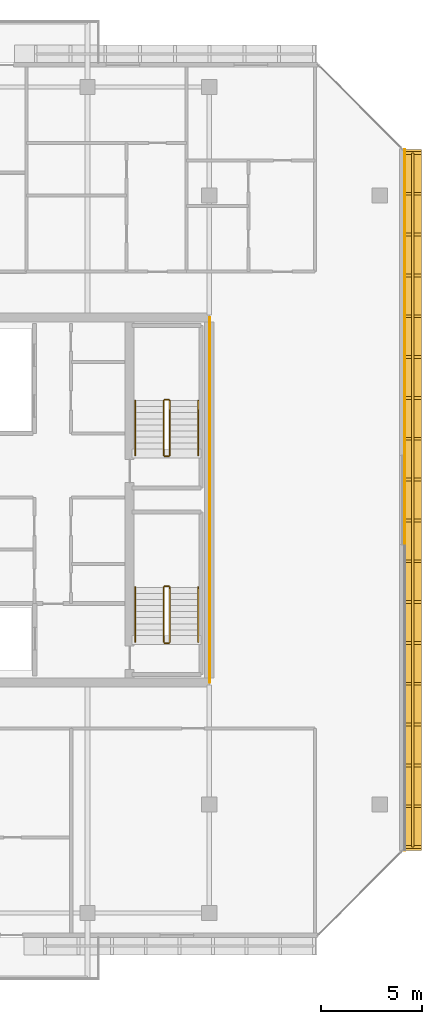
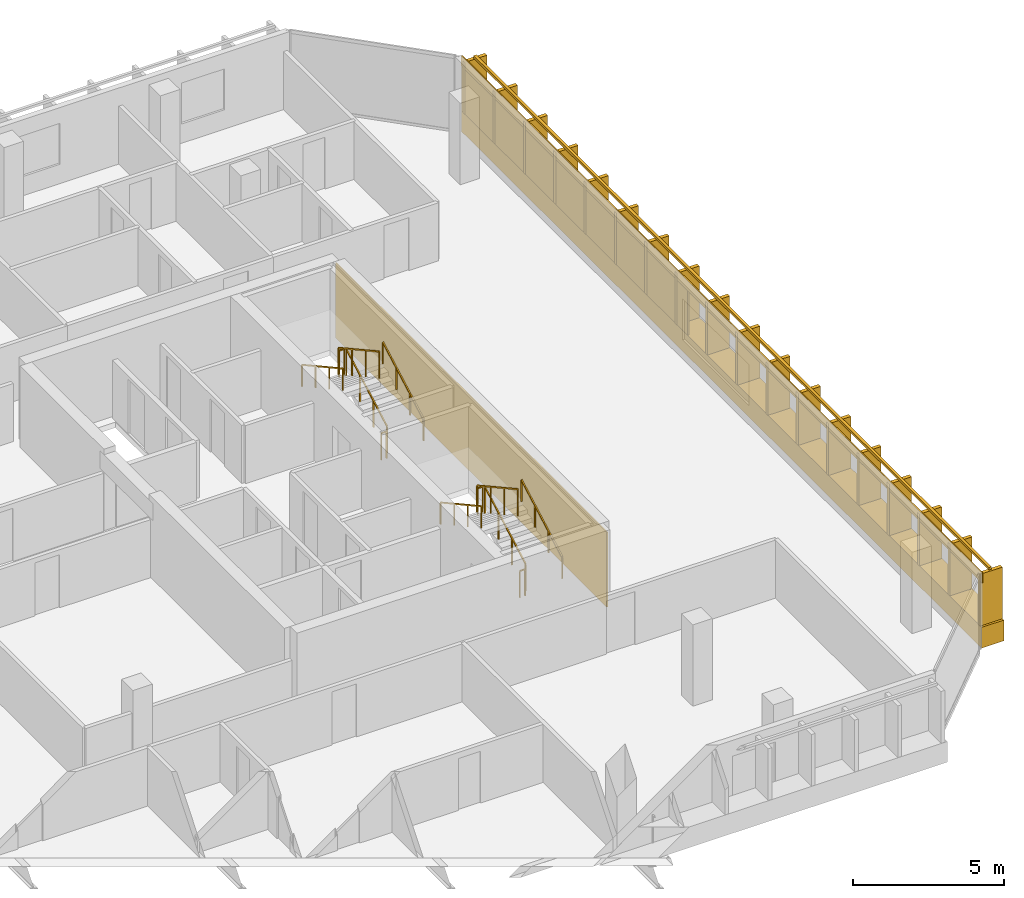
# One storey, part 24 of 25: 13 railings, 4 coverings.
"""IFC4 building model written with IfcOpenShell, lengths in metres."""

from ifc_helpers import new_model, si_unit, direction, frame, origin, origin_2d, place, context, subcontext, project, spatial, rectangle, extrude, material, layer, layer_set, type_object, element, save


model = new_model("IFC4")

# Units and contexts
model_context = context("Model", 3, precision=1e-05, world=origin(), true_north=direction((0.0, 1.0)))
body_context = subcontext(model_context, "Body", "Model", "MODEL_VIEW")
ifc_project = project(units=[si_unit("LENGTHUNIT", "METRE"), si_unit("AREAUNIT", "SQUARE_METRE"), si_unit("VOLUMEUNIT", "CUBIC_METRE"), si_unit("PLANEANGLEUNIT", "RADIAN"), si_unit("MASSUNIT", "GRAM", prefix="KILO")], contexts=[model_context])

# Site, building, storey
site_placement = place(None, origin())
site = spatial("IfcSite", under=ifc_project, at=site_placement, CompositionType="ELEMENT")
building_placement = place(site_placement, origin())
building = spatial("IfcBuilding", under=site, at=building_placement, Name="Tanjung Sevakor Pilgrim Tower", CompositionType="ELEMENT")
storey_placement = place(building_placement, frame((0.0, 0.0, 204.929931640625)))
storey = spatial("IfcBuildingStorey", under=building, at=storey_placement, Name="L57", CompositionType="ELEMENT", Elevation=204.929931640625)

# Coverings
ifc_material_1 = material(Name="Reconstructed Limestone Cladding", Category="masonry")
ifc_layer = layer(ifc_material_1, 0.044921875)
ifc_layer_set = layer_set([ifc_layer], Name="COV-CLAD-LIMESTONE")
covering_type = type_object("IfcCoveringType", Name="COV-CLAD-LIMESTONE", PredefinedType="CLADDING", material=ifc_layer_set)
covering_1_placement = place(storey_placement, frame((100.030029296875, 33.60009765625, 0.01025390625), z_axis=(0.0, 0.0, 1.0), x_axis=(0.0, 1.0, 0.0)))
element("IfcCovering", 1, at=covering_1_placement, inside=storey, type_object=covering_type, Name="L57 Warm Limestone Sill Spandrel EW-L57-MAIN-7-1", PredefinedType="CLADDING", context=body_context, shape_type="SweptSolid", body=[
    extrude(rectangle(XDim=34.52880859375, YDim=0.860107421875, at=origin_2d()), origin(), (0.0, 0.0, 1.0), 0.840087890625),
])
covering_2_placement = place(storey_placement, frame((99.62255859375, 33.60009765625, 2.66015625), z_axis=(0.0, 0.0, 1.0), x_axis=(0.0, 1.0, 0.0)))
element("IfcCovering", 2, at=covering_2_placement, inside=storey, type_object=covering_type, Name="L57 Warm Limestone Cornice Spandrel EW-L57-MAIN-7", PredefinedType="CLADDING", context=body_context, shape_type="SweptSolid", body=[
    extrude(rectangle(XDim=34.56884765625, YDim=0.044921875, at=origin_2d()), origin(), (0.0, 0.0, 1.0), 0.409912109375),
])
covering_3_placement = place(storey_placement, frame((99.62255859375, 43.357177734375, 0.85009765625), z_axis=(0.0, 0.0, 1.0), x_axis=(0.0, 1.0, 0.0)))
element("IfcCovering", 3, at=covering_3_placement, inside=storey, type_object=covering_type, Name="L57 Warm Limestone Pier Panel EW-L57-MAIN-7-2", PredefinedType="CLADDING", context=body_context, shape_type="SweptSolid", body=[
    extrude(rectangle(XDim=15.014404296875, YDim=0.044921875, at=origin_2d()), origin(), (0.0, 0.0, 1.0), 1.81005859375),
])
covering_4_placement = place(storey_placement, frame((90.0224609375, 33.60009765625, 0.02001953125), z_axis=(0.0, 0.0, 1.0), x_axis=(1.0, 0.0, 0.0)))
element("IfcCovering", 4, at=covering_4_placement, inside=storey, type_object=covering_type, Name="L57 Expressed Core Warm Limestone Cladding E", PredefinedType="CLADDING", context=body_context, shape_type="SweptSolid", body=[
    extrude(rectangle(XDim=0.044921875, YDim=18.0, at=origin_2d()), origin(), (0.0, 0.0, 1.0), 3.0400390625),
])

# Railings
ifc_material_2 = material(Name="Anodised Bronze Aluminium 6063-T6", Category="aluminium")
railing_type_1 = type_object("IfcRailingType", Name="RL-FIN-SCREEN", PredefinedType="BALUSTRADE", material=ifc_material_2)
railing_1_placement = place(storey_placement, frame((100.02490234375, 16.49560546875, 0.840087890625)))
element("IfcRailing", 5, at=railing_1_placement, inside=storey, type_object=railing_type_1, Name="L57 Vertical Bronze-Gold Solar Fin Screen FNEND-EW-L57-MAIN-7-1", PredefinedType="BALUSTRADE", context=body_context, shape_type="SweptSolid", body=[
    extrude(rectangle(XDim=0.105, YDim=0.105), frame((0.0, 0.0, 2.157470703125), z_axis=(0.0, 1.0, 0.0), x_axis=(-1.0, 0.0, 0.0)), (0.0, 0.0, 1.0), 34.208740234375),
    extrude(rectangle(XDim=0.85, YDim=0.14), origin(), (0.0, 0.0, 1.0), 2.10498046875),
    extrude(rectangle(XDim=0.85, YDim=0.14), frame((0.0, 2.01220703125, 0.0)), (0.0, 0.0, 1.0), 2.10498046875),
    extrude(rectangle(XDim=0.85, YDim=0.14), frame((0.0, 4.024658203125, 0.0)), (0.0, 0.0, 1.0), 2.10498046875),
    extrude(rectangle(XDim=0.85, YDim=0.14), frame((0.0, 6.036865234375, 0.0)), (0.0, 0.0, 1.0), 2.10498046875),
    extrude(rectangle(XDim=0.85, YDim=0.14), frame((0.0, 8.049072265625, 0.0)), (0.0, 0.0, 1.0), 2.10498046875),
    extrude(rectangle(XDim=0.85, YDim=0.14), frame((0.0, 10.061279296875, 0.0)), (0.0, 0.0, 1.0), 2.10498046875),
    extrude(rectangle(XDim=0.85, YDim=0.14), frame((0.0, 12.07373046875, 0.0)), (0.0, 0.0, 1.0), 2.10498046875),
    extrude(rectangle(XDim=0.85, YDim=0.14), frame((0.0, 14.0859375, 0.0)), (0.0, 0.0, 1.0), 2.10498046875),
    extrude(rectangle(XDim=0.85, YDim=0.14), frame((0.0, 16.09814453125, 0.0)), (0.0, 0.0, 1.0), 2.10498046875),
    extrude(rectangle(XDim=0.85, YDim=0.14), frame((0.0, 18.110595703125, 0.0)), (0.0, 0.0, 1.0), 2.10498046875),
    extrude(rectangle(XDim=0.85, YDim=0.14), frame((0.0, 20.122802734375, 0.0)), (0.0, 0.0, 1.0), 2.10498046875),
    extrude(rectangle(XDim=0.85, YDim=0.14), frame((0.0, 22.135009765625, 0.0)), (0.0, 0.0, 1.0), 2.10498046875),
    extrude(rectangle(XDim=0.85, YDim=0.14), frame((0.0, 24.1474609375, 0.0)), (0.0, 0.0, 1.0), 2.10498046875),
    extrude(rectangle(XDim=0.85, YDim=0.14), frame((0.0, 26.15966796875, 0.0)), (0.0, 0.0, 1.0), 2.10498046875),
    extrude(rectangle(XDim=0.85, YDim=0.14), frame((0.0, 28.171875, 0.0)), (0.0, 0.0, 1.0), 2.10498046875),
    extrude(rectangle(XDim=0.85, YDim=0.14), frame((0.0, 30.18408203125, 0.0)), (0.0, 0.0, 1.0), 2.10498046875),
    extrude(rectangle(XDim=0.85, YDim=0.14), frame((0.0, 32.196533203125, 0.0)), (0.0, 0.0, 1.0), 2.10498046875),
    extrude(rectangle(XDim=0.85, YDim=0.14), frame((0.0, 34.208740234375, 0.0)), (0.0, 0.0, 1.0), 2.10498046875),
])
ifc_material_3 = material(Name="Steel S355J2", Category="steel")
railing_type_2 = type_object("IfcRailingType", Name="RL-STAIR-GUARD", PredefinedType="GUARDRAIL", material=ifc_material_3)
railing_2_placement = place(storey_placement, frame((88.050048828125, 26.60009765625, 0.1650390625)))
element("IfcRailing", 6, at=railing_2_placement, inside=storey, type_object=railing_type_2, Name="L57 TS-E1 stair guard 1", PredefinedType="GUARDRAIL", context=body_context, shape_type="SweptSolid", body=[
    extrude(rectangle(XDim=0.0479, YDim=0.0479), frame((0.0, 0.0, 1.076171875), z_axis=(0.0, 0.876197507361, 0.481952205197), x_axis=(-1.0, 0.0, 0.0)), (0.0, 0.0, 1.0), 3.08154296875),
    extrude(rectangle(XDim=0.042, YDim=0.042), origin(), (0.0, 0.0, 1.0), 1.052001953125),
    extrude(rectangle(XDim=0.042, YDim=0.042), frame((0.0, 0.89990234375, 0.4951171875)), (0.0, 0.0, 1.0), 1.052001953125),
    extrude(rectangle(XDim=0.042, YDim=0.042), frame((0.0, 1.800048828125, 0.989990234375)), (0.0, 0.0, 1.0), 1.052001953125),
    extrude(rectangle(XDim=0.042, YDim=0.042), frame((0.0, 2.699951171875, 1.485107421875)), (0.0, 0.0, 1.0), 1.052001953125),
])
railing_3_placement = place(storey_placement, frame((88.0, 29.35009765625, 1.650146484375)))
element("IfcRailing", 7, at=railing_3_placement, inside=storey, type_object=railing_type_2, Name="L57 TS-E1 stair guard 2", PredefinedType="GUARDRAIL", context=body_context, shape_type="SweptSolid", body=[
    extrude(rectangle(XDim=0.0479, YDim=0.0479), frame((0.0, 0.0, 1.076171875), z_axis=(-1.0, 0.0, 0.0), x_axis=(0.0, -1.0, 0.0)), (0.0, 0.0, 1.0), 0.199951171875),
    extrude(rectangle(XDim=0.042, YDim=0.042), origin(), (0.0, 0.0, 1.0), 1.052001953125),
    extrude(rectangle(XDim=0.042, YDim=0.042), frame((-0.199951171875, 0.0, 0.0)), (0.0, 0.0, 1.0), 1.052001953125),
])
railing_4_placement = place(storey_placement, frame((87.75, 29.300048828125, 1.815185546875)))
element("IfcRailing", 8, at=railing_4_placement, inside=storey, type_object=railing_type_2, Name="L57 TS-E1 stair guard 3", PredefinedType="GUARDRAIL", context=body_context, shape_type="SweptSolid", body=[
    extrude(rectangle(XDim=0.0479, YDim=0.0479), frame((0.0, 0.0, 1.076171875), z_axis=(0.0, -0.876230963923, 0.481891375584), x_axis=(1.0, 0.0, 0.0)), (0.0, 0.0, 1.0), 3.081298828125),
    extrude(rectangle(XDim=0.042, YDim=0.042), origin(), (0.0, 0.0, 1.0), 1.052001953125),
    extrude(rectangle(XDim=0.042, YDim=0.042), frame((0.0, -0.89990234375, 0.494873046875)), (0.0, 0.0, 1.0), 1.052001953125),
    extrude(rectangle(XDim=0.042, YDim=0.042), frame((0.0, -1.800048828125, 0.989990234375)), (0.0, 0.0, 1.0), 1.052001953125),
    extrude(rectangle(XDim=0.042, YDim=0.042), frame((0.0, -2.699951171875, 1.48486328125)), (0.0, 0.0, 1.0), 1.052001953125),
])
railing_5_placement = place(storey_placement, frame((88.0, 26.550048828125, 0.0)))
element("IfcRailing", 9, at=railing_5_placement, inside=storey, type_object=railing_type_2, Name="L57 TS-E1 stair guard 4", PredefinedType="GUARDRAIL", context=body_context, shape_type="SweptSolid", body=[
    extrude(rectangle(XDim=0.0479, YDim=0.0479), frame((0.0, 0.0, 1.076171875), z_axis=(-1.0, 0.0, 0.0), x_axis=(0.0, -1.0, 0.0)), (0.0, 0.0, 1.0), 0.199951171875),
    extrude(rectangle(XDim=0.042, YDim=0.042), origin(), (0.0, 0.0, 1.0), 1.052001953125),
    extrude(rectangle(XDim=0.042, YDim=0.042), frame((-0.199951171875, 0.0, 0.0)), (0.0, 0.0, 1.0), 1.052001953125),
])
railing_6_placement = place(storey_placement, frame((88.050048828125, 35.800048828125, 0.1650390625)))
element("IfcRailing", 10, at=railing_6_placement, inside=storey, type_object=railing_type_2, Name="L57 TS-E2 stair guard 1", PredefinedType="GUARDRAIL", context=body_context, shape_type="SweptSolid", body=[
    extrude(rectangle(XDim=0.0479, YDim=0.0479), frame((0.0, 0.0, 1.076171875), z_axis=(0.0, 0.876197507361, 0.481952205197), x_axis=(-1.0, 0.0, 0.0)), (0.0, 0.0, 1.0), 3.08154296875),
    extrude(rectangle(XDim=0.042, YDim=0.042), origin(), (0.0, 0.0, 1.0), 1.052001953125),
    extrude(rectangle(XDim=0.042, YDim=0.042), frame((0.0, 0.89990234375, 0.4951171875)), (0.0, 0.0, 1.0), 1.052001953125),
    extrude(rectangle(XDim=0.042, YDim=0.042), frame((0.0, 1.800048828125, 0.989990234375)), (0.0, 0.0, 1.0), 1.052001953125),
    extrude(rectangle(XDim=0.042, YDim=0.042), frame((0.0, 2.699951171875, 1.485107421875)), (0.0, 0.0, 1.0), 1.052001953125),
])
railing_7_placement = place(storey_placement, frame((88.0, 38.550048828125, 1.650146484375)))
element("IfcRailing", 11, at=railing_7_placement, inside=storey, type_object=railing_type_2, Name="L57 TS-E2 stair guard 2", PredefinedType="GUARDRAIL", context=body_context, shape_type="SweptSolid", body=[
    extrude(rectangle(XDim=0.0479, YDim=0.0479), frame((0.0, 0.0, 1.076171875), z_axis=(-1.0, 0.0, 0.0), x_axis=(0.0, -1.0, 0.0)), (0.0, 0.0, 1.0), 0.199951171875),
    extrude(rectangle(XDim=0.042, YDim=0.042), origin(), (0.0, 0.0, 1.0), 1.052001953125),
    extrude(rectangle(XDim=0.042, YDim=0.042), frame((-0.199951171875, 0.0, 0.0)), (0.0, 0.0, 1.0), 1.052001953125),
])
railing_8_placement = place(storey_placement, frame((87.75, 38.5, 1.815185546875)))
element("IfcRailing", 12, at=railing_8_placement, inside=storey, type_object=railing_type_2, Name="L57 TS-E2 stair guard 3", PredefinedType="GUARDRAIL", context=body_context, shape_type="SweptSolid", body=[
    extrude(rectangle(XDim=0.0479, YDim=0.0479), frame((0.0, 0.0, 1.076171875), z_axis=(0.0, -0.876230963923, 0.481891375584), x_axis=(1.0, 0.0, 0.0)), (0.0, 0.0, 1.0), 3.081298828125),
    extrude(rectangle(XDim=0.042, YDim=0.042), origin(), (0.0, 0.0, 1.0), 1.052001953125),
    extrude(rectangle(XDim=0.042, YDim=0.042), frame((0.0, -0.89990234375, 0.494873046875)), (0.0, 0.0, 1.0), 1.052001953125),
    extrude(rectangle(XDim=0.042, YDim=0.042), frame((0.0, -1.800048828125, 0.989990234375)), (0.0, 0.0, 1.0), 1.052001953125),
    extrude(rectangle(XDim=0.042, YDim=0.042), frame((0.0, -2.699951171875, 1.48486328125)), (0.0, 0.0, 1.0), 1.052001953125),
])
railing_9_placement = place(storey_placement, frame((88.0, 35.75, 0.0)))
element("IfcRailing", 13, at=railing_9_placement, inside=storey, type_object=railing_type_2, Name="L57 TS-E2 stair guard 4", PredefinedType="GUARDRAIL", context=body_context, shape_type="SweptSolid", body=[
    extrude(rectangle(XDim=0.0479, YDim=0.0479), frame((0.0, 0.0, 1.076171875), z_axis=(-1.0, 0.0, 0.0), x_axis=(0.0, -1.0, 0.0)), (0.0, 0.0, 1.0), 0.199951171875),
    extrude(rectangle(XDim=0.042, YDim=0.042), origin(), (0.0, 0.0, 1.0), 1.052001953125),
    extrude(rectangle(XDim=0.042, YDim=0.042), frame((-0.199951171875, 0.0, 0.0)), (0.0, 0.0, 1.0), 1.052001953125),
])
ifc_material_4 = material(Name="Steel S355J2", Category="steel")
railing_type_3 = type_object("IfcRailingType", Name="RL-STAIR-HAND", PredefinedType="HANDRAIL", material=ifc_material_4)
railing_10_placement = place(storey_placement, frame((89.449951171875, 26.60009765625, 0.1650390625)))
element("IfcRailing", 14, at=railing_10_placement, inside=storey, type_object=railing_type_3, Name="L57 TS-E1 stair handrail 1", PredefinedType="HANDRAIL", context=body_context, shape_type="SweptSolid", body=[
    extrude(rectangle(XDim=0.0479, YDim=0.0479), frame((0.0, 0.0, 0.8759765625), z_axis=(0.0, 0.876197507361, 0.481952205197), x_axis=(-1.0, 0.0, 0.0)), (0.0, 0.0, 1.0), 3.08154296875),
    extrude(rectangle(XDim=0.042, YDim=0.042), origin(), (0.0, 0.0, 1.0), 0.851806640625),
    extrude(rectangle(XDim=0.042, YDim=0.042), frame((0.0, 0.89990234375, 0.4951171875)), (0.0, 0.0, 1.0), 0.851806640625),
    extrude(rectangle(XDim=0.042, YDim=0.042), frame((0.0, 1.800048828125, 0.989990234375)), (0.0, 0.0, 1.0), 0.851806640625),
    extrude(rectangle(XDim=0.042, YDim=0.042), frame((0.0, 2.699951171875, 1.485107421875)), (0.0, 0.0, 1.0), 0.851806640625),
])
railing_11_placement = place(storey_placement, frame((86.35009765625, 29.300048828125, 1.815185546875)))
element("IfcRailing", 15, at=railing_11_placement, inside=storey, type_object=railing_type_3, Name="L57 TS-E1 stair handrail 2", PredefinedType="HANDRAIL", context=body_context, shape_type="SweptSolid", body=[
    extrude(rectangle(XDim=0.0479, YDim=0.0479), frame((0.0, 0.0, 0.8759765625), z_axis=(0.0, -0.876230963923, 0.481891375584), x_axis=(1.0, 0.0, 0.0)), (0.0, 0.0, 1.0), 3.081298828125),
    extrude(rectangle(XDim=0.042, YDim=0.042), origin(), (0.0, 0.0, 1.0), 0.851806640625),
    extrude(rectangle(XDim=0.042, YDim=0.042), frame((0.0, -0.89990234375, 0.494873046875)), (0.0, 0.0, 1.0), 0.851806640625),
    extrude(rectangle(XDim=0.042, YDim=0.042), frame((0.0, -1.800048828125, 0.989990234375)), (0.0, 0.0, 1.0), 0.851806640625),
    extrude(rectangle(XDim=0.042, YDim=0.042), frame((0.0, -2.699951171875, 1.48486328125)), (0.0, 0.0, 1.0), 0.851806640625),
])
railing_12_placement = place(storey_placement, frame((89.449951171875, 35.800048828125, 0.1650390625)))
element("IfcRailing", 16, at=railing_12_placement, inside=storey, type_object=railing_type_3, Name="L57 TS-E2 stair handrail 1", PredefinedType="HANDRAIL", context=body_context, shape_type="SweptSolid", body=[
    extrude(rectangle(XDim=0.0479, YDim=0.0479), frame((0.0, 0.0, 0.8759765625), z_axis=(0.0, 0.876197507361, 0.481952205197), x_axis=(-1.0, 0.0, 0.0)), (0.0, 0.0, 1.0), 3.08154296875),
    extrude(rectangle(XDim=0.042, YDim=0.042), origin(), (0.0, 0.0, 1.0), 0.851806640625),
    extrude(rectangle(XDim=0.042, YDim=0.042), frame((0.0, 0.89990234375, 0.4951171875)), (0.0, 0.0, 1.0), 0.851806640625),
    extrude(rectangle(XDim=0.042, YDim=0.042), frame((0.0, 1.800048828125, 0.989990234375)), (0.0, 0.0, 1.0), 0.851806640625),
    extrude(rectangle(XDim=0.042, YDim=0.042), frame((0.0, 2.699951171875, 1.485107421875)), (0.0, 0.0, 1.0), 0.851806640625),
])
railing_13_placement = place(storey_placement, frame((86.35009765625, 38.5, 1.815185546875)))
element("IfcRailing", 17, at=railing_13_placement, inside=storey, type_object=railing_type_3, Name="L57 TS-E2 stair handrail 2", PredefinedType="HANDRAIL", context=body_context, shape_type="SweptSolid", body=[
    extrude(rectangle(XDim=0.0479, YDim=0.0479), frame((0.0, 0.0, 0.8759765625), z_axis=(0.0, -0.876230963923, 0.481891375584), x_axis=(1.0, 0.0, 0.0)), (0.0, 0.0, 1.0), 3.081298828125),
    extrude(rectangle(XDim=0.042, YDim=0.042), origin(), (0.0, 0.0, 1.0), 0.851806640625),
    extrude(rectangle(XDim=0.042, YDim=0.042), frame((0.0, -0.89990234375, 0.494873046875)), (0.0, 0.0, 1.0), 0.851806640625),
    extrude(rectangle(XDim=0.042, YDim=0.042), frame((0.0, -1.800048828125, 0.989990234375)), (0.0, 0.0, 1.0), 0.851806640625),
    extrude(rectangle(XDim=0.042, YDim=0.042), frame((0.0, -2.699951171875, 1.48486328125)), (0.0, 0.0, 1.0), 0.851806640625),
])

save(model, "model.ifc")
